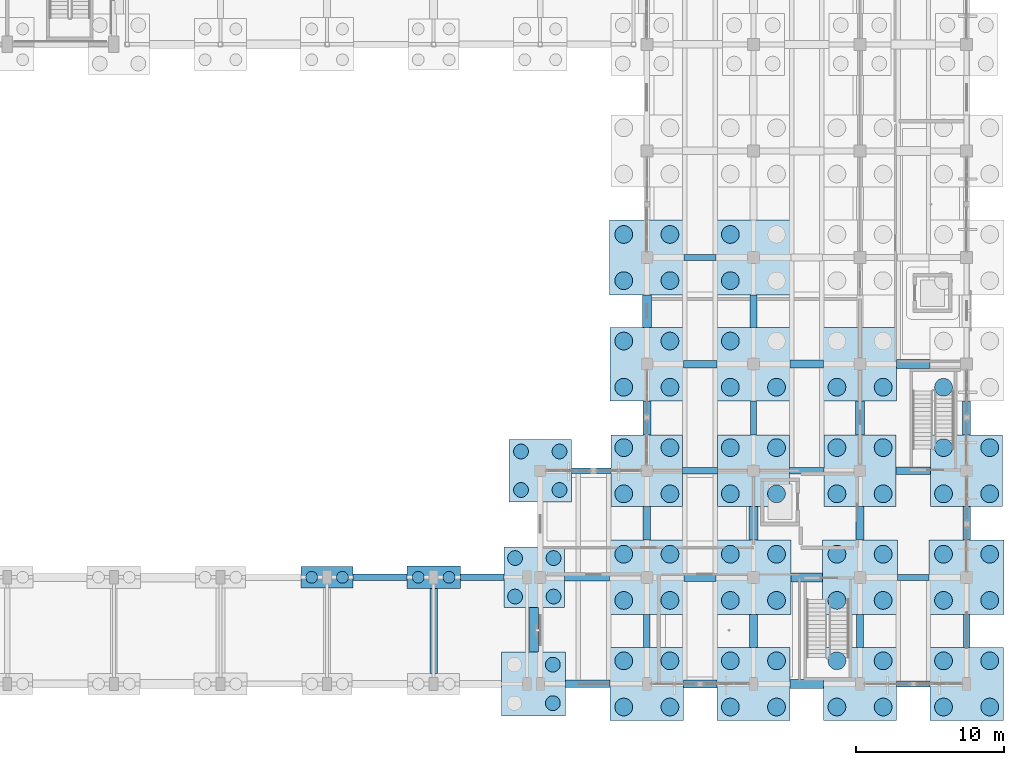
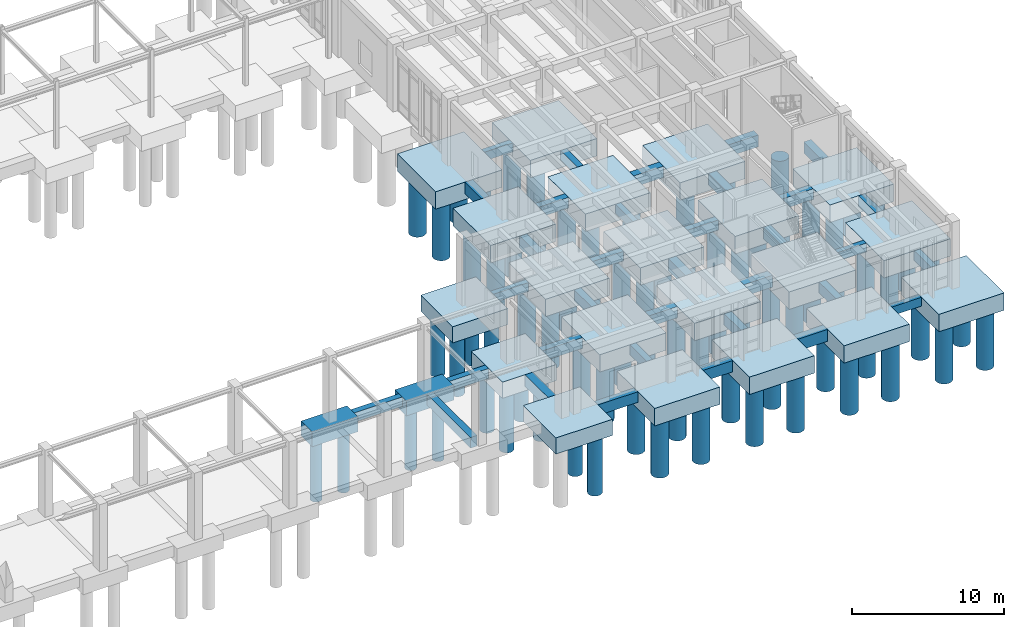
# One storey, part 8 of 93: 78 piles, 56 footings.
"""IFC4 building model written with IfcOpenShell, lengths in metres."""

from ifc_helpers import new_model, si_unit, direction, frame, origin, origin_2d, place, context, subcontext, project, spatial, rectangle, circle, extrude, material, material_profile, profile_set, type_object, element, save


model = new_model("IFC4")

# Units and contexts
model_context = context("Model", 3, precision=1e-05, world=origin(), true_north=direction((0.0, 1.0)))
body_context = subcontext(model_context, "Body", "Model", "MODEL_VIEW")
ifc_project = project(units=[si_unit("LENGTHUNIT", "METRE"), si_unit("AREAUNIT", "SQUARE_METRE"), si_unit("VOLUMEUNIT", "CUBIC_METRE"), si_unit("PLANEANGLEUNIT", "RADIAN"), si_unit("MASSUNIT", "GRAM", prefix="KILO")], contexts=[model_context])

# Site, building, storey
site_placement = place(None, origin())
site = spatial("IfcSite", under=ifc_project, at=site_placement, CompositionType="ELEMENT")
building_placement = place(site_placement, origin())
building = spatial("IfcBuilding", under=site, at=building_placement, Name="Koriwan Promenade Central Fire Station", CompositionType="ELEMENT")
storey_placement = place(building_placement, origin())
storey = spatial("IfcBuildingStorey", under=building, at=storey_placement, Name="L00", CompositionType="ELEMENT", Elevation=0.0)

# Piles
ifc_material = material(Name="Concrete C35/45", Category="concrete")
ifc_material_profile_1 = material_profile(ifc_material, circle(Radius=0.5, at=origin_2d()), Name="PILE-D1000")
ifc_profile_set_1 = profile_set([ifc_material_profile_1], Name="Concrete C35/45")
pile_type_1 = type_object("IfcPileType", Name="BoredPile_1000", PredefinedType="BORED", material=ifc_profile_set_1)
for number, where, z_axis, x_axis, name in (
    (1, (144.85009765625, -1.300048828125, -1.14990234375), (0.0, 0.0, -1.0), (1.0, 0.0, 0.0), "Bored pile PCAP_161-21"),
    (2, (144.85009765625, 1.300048828125, -1.14990234375), (0.0, 0.0, -1.0), (1.0, 0.0, 0.0), "Bored pile PCAP_161-22"),
    (3, (142.300048828125, 5.89990234375, -1.14990234375), (0.0, 0.0, -1.0), (1.0, 0.0, 0.0), "Bored pile PCAP_162-11"),
    (4, (142.300048828125, 8.5, -1.14990234375), (0.0, 0.0, -1.0), (1.0, 0.0, 0.0), "Bored pile PCAP_162-12"),
    (5, (144.89990234375, 5.89990234375, -1.14990234375), (0.0, 0.0, -1.0), (1.0, 0.0, 0.0), "Bored pile PCAP_162-21"),
    (6, (144.89990234375, 8.5, -1.14990234375), (0.0, 0.0, -1.0), (1.0, 0.0, 0.0), "Bored pile PCAP_162-22"),
    (7, (142.699951171875, 13.10009765625, -1.14990234375), (0.0, 0.0, -1.0), (1.0, 0.0, 0.0), "Bored pile PCAP_163-11"),
    (8, (142.699951171875, 15.699951171875, -1.14990234375), (0.0, 0.0, -1.0), (1.0, 0.0, 0.0), "Bored pile PCAP_163-12"),
    (9, (145.300048828125, 13.10009765625, -1.14990234375), (0.0, 0.0, -1.0), (1.0, 0.0, 0.0), "Bored pile PCAP_163-21"),
    (10, (145.300048828125, 15.699951171875, -1.14990234375), (0.0, 0.0, -1.0), (1.0, 0.0, 0.0), "Bored pile PCAP_163-22"),
):
    element("IfcPile", number, at=place(storey_placement, frame(where, z_axis=z_axis, x_axis=x_axis)), inside=storey, type_object=pile_type_1, Name=name, PredefinedType="BORED", context=body_context, shape_type="SweptSolid", body=[
        extrude(circle(Radius=0.5, at=origin_2d()), origin(), (0.0, 0.0, 1.0), 4.89990234375),
    ])
ifc_material_profile_2 = material_profile(ifc_material, circle(Radius=0.60009765625, at=origin_2d()), Name="PILE-D1200")
ifc_profile_set_2 = profile_set([ifc_material_profile_2], Name="Concrete C35/45")
pile_type_2 = type_object("IfcPileType", Name="BoredPile_1200", PredefinedType="BORED", material=ifc_profile_set_2)
for number, where, z_axis, x_axis, name in (
    (11, (149.639892578125, -1.56005859375, -1.25), (0.0, 0.0, -1.0), (1.0, 0.0, 0.0), "Bored pile PCAP_166-11"),
    (12, (149.639892578125, 1.56005859375, -1.25), (0.0, 0.0, -1.0), (1.0, 0.0, 0.0), "Bored pile PCAP_166-12"),
    (13, (152.760009765625, -1.56005859375, -1.25), (0.0, 0.0, -1.0), (1.0, 0.0, 0.0), "Bored pile PCAP_166-21"),
    (14, (152.760009765625, 1.56005859375, -1.25), (0.0, 0.0, -1.0), (1.0, 0.0, 0.0), "Bored pile PCAP_166-22"),
    (15, (149.639892578125, 5.639892578125, -1.25), (0.0, 0.0, -1.0), (1.0, 0.0, 0.0), "Bored pile PCAP_167-11"),
    (16, (149.639892578125, 8.760009765625, -1.25), (0.0, 0.0, -1.0), (1.0, 0.0, 0.0), "Bored pile PCAP_167-12"),
    (17, (152.760009765625, 5.639892578125, -1.25), (0.0, 0.0, -1.0), (1.0, 0.0, 0.0), "Bored pile PCAP_167-21"),
    (18, (152.760009765625, 8.760009765625, -1.25), (0.0, 0.0, -1.0), (1.0, 0.0, 0.0), "Bored pile PCAP_167-22"),
    (19, (149.639892578125, 12.840087890625, -1.25), (0.0, 0.0, -1.0), (1.0, 0.0, 0.0), "Bored pile PCAP_168-11"),
    (20, (149.639892578125, 15.9599609375, -1.25), (0.0, 0.0, -1.0), (1.0, 0.0, 0.0), "Bored pile PCAP_168-12"),
    (21, (152.760009765625, 12.840087890625, -1.25), (0.0, 0.0, -1.0), (1.0, 0.0, 0.0), "Bored pile PCAP_168-21"),
    (22, (152.760009765625, 15.9599609375, -1.25), (0.0, 0.0, -1.0), (1.0, 0.0, 0.0), "Bored pile PCAP_168-22"),
    (23, (149.639892578125, 20.0400390625, -1.25), (0.0, 0.0, -1.0), (1.0, 0.0, 0.0), "Bored pile PCAP_169-11"),
    (24, (149.639892578125, 23.159912109375, -1.25), (0.0, 0.0, -1.0), (1.0, 0.0, 0.0), "Bored pile PCAP_169-12"),
    (25, (152.760009765625, 20.0400390625, -1.25), (0.0, 0.0, -1.0), (1.0, 0.0, 0.0), "Bored pile PCAP_169-21"),
    (26, (152.760009765625, 23.159912109375, -1.25), (0.0, 0.0, -1.0), (1.0, 0.0, 0.0), "Bored pile PCAP_169-22"),
    (27, (149.639892578125, 27.239990234375, -1.25), (0.0, 0.0, -1.0), (1.0, 0.0, 0.0), "Bored pile PCAP_170-11"),
    (28, (149.639892578125, 30.360107421875, -1.25), (0.0, 0.0, -1.0), (1.0, 0.0, 0.0), "Bored pile PCAP_170-12"),
    (29, (152.760009765625, 27.239990234375, -1.25), (0.0, 0.0, -1.0), (1.0, 0.0, 0.0), "Bored pile PCAP_170-21"),
    (30, (152.760009765625, 30.360107421875, -1.25), (0.0, 0.0, -1.0), (1.0, 0.0, 0.0), "Bored pile PCAP_170-22"),
    (31, (156.840087890625, -1.56005859375, -1.25), (0.0, 0.0, -1.0), (1.0, 0.0, 0.0), "Bored pile PCAP_178-11"),
    (32, (156.840087890625, 1.56005859375, -1.25), (0.0, 0.0, -1.0), (1.0, 0.0, 0.0), "Bored pile PCAP_178-12"),
    (33, (159.9599609375, -1.56005859375, -1.25), (0.0, 0.0, -1.0), (1.0, 0.0, 0.0), "Bored pile PCAP_178-21"),
    (34, (159.9599609375, 1.56005859375, -1.25), (0.0, 0.0, -1.0), (1.0, 0.0, 0.0), "Bored pile PCAP_178-22"),
    (35, (156.840087890625, 5.639892578125, -1.25), (0.0, 0.0, -1.0), (1.0, 0.0, 0.0), "Bored pile PCAP_179-11"),
    (36, (156.840087890625, 8.760009765625, -1.25), (0.0, 0.0, -1.0), (1.0, 0.0, 0.0), "Bored pile PCAP_179-12"),
    (37, (159.9599609375, 5.639892578125, -1.25), (0.0, 0.0, -1.0), (1.0, 0.0, 0.0), "Bored pile PCAP_179-21"),
    (38, (159.9599609375, 8.760009765625, -1.25), (0.0, 0.0, -1.0), (1.0, 0.0, 0.0), "Bored pile PCAP_179-22"),
    (39, (156.840087890625, 12.840087890625, -1.25), (0.0, 0.0, -1.0), (1.0, 0.0, 0.0), "Bored pile PCAP_180-11"),
    (40, (156.840087890625, 15.9599609375, -1.25), (0.0, 0.0, -1.0), (1.0, 0.0, 0.0), "Bored pile PCAP_180-12"),
    (41, (159.9599609375, 12.840087890625, -1.25), (0.0, 0.0, -1.0), (1.0, 0.0, 0.0), "Bored pile PCAP_180-21"),
    (42, (159.9599609375, 15.9599609375, -1.25), (0.0, 0.0, -1.0), (1.0, 0.0, 0.0), "Bored pile PCAP_180-22"),
    (43, (156.840087890625, 20.0400390625, -1.25), (0.0, 0.0, -1.0), (1.0, 0.0, 0.0), "Bored pile PCAP_181-11"),
    (44, (156.840087890625, 23.159912109375, -1.25), (0.0, 0.0, -1.0), (1.0, 0.0, 0.0), "Bored pile PCAP_181-12"),
    (45, (159.9599609375, 20.0400390625, -1.25), (0.0, 0.0, -1.0), (1.0, 0.0, 0.0), "Bored pile PCAP_181-21"),
    (46, (156.840087890625, 27.239990234375, -1.25), (0.0, 0.0, -1.0), (1.0, 0.0, 0.0), "Bored pile PCAP_182-11"),
    (47, (156.840087890625, 30.360107421875, -1.25), (0.0, 0.0, -1.0), (1.0, 0.0, 0.0), "Bored pile PCAP_182-12"),
    (48, (164.0400390625, -1.56005859375, -1.25), (0.0, 0.0, -1.0), (1.0, 0.0, 0.0), "Bored pile PCAP_190-11"),
    (49, (164.0400390625, 1.56005859375, -1.25), (0.0, 0.0, -1.0), (1.0, 0.0, 0.0), "Bored pile PCAP_190-12"),
    (50, (167.159912109375, -1.56005859375, -1.25), (0.0, 0.0, -1.0), (1.0, 0.0, 0.0), "Bored pile PCAP_190-21"),
    (51, (167.159912109375, 1.56005859375, -1.25), (0.0, 0.0, -1.0), (1.0, 0.0, 0.0), "Bored pile PCAP_190-22"),
    (52, (164.0400390625, 5.639892578125, -1.25), (0.0, 0.0, -1.0), (1.0, 0.0, 0.0), "Bored pile PCAP_191-11"),
    (53, (164.0400390625, 8.760009765625, -1.25), (0.0, 0.0, -1.0), (1.0, 0.0, 0.0), "Bored pile PCAP_191-12"),
    (54, (167.159912109375, 5.639892578125, -1.25), (0.0, 0.0, -1.0), (1.0, 0.0, 0.0), "Bored pile PCAP_191-21"),
    (55, (167.159912109375, 8.760009765625, -1.25), (0.0, 0.0, -1.0), (1.0, 0.0, 0.0), "Bored pile PCAP_191-22"),
    (56, (164.0400390625, 12.840087890625, -1.25), (0.0, 0.0, -1.0), (1.0, 0.0, 0.0), "Bored pile PCAP_192-11"),
    (57, (164.0400390625, 15.9599609375, -1.25), (0.0, 0.0, -1.0), (1.0, 0.0, 0.0), "Bored pile PCAP_192-12"),
    (58, (167.159912109375, 12.840087890625, -1.25), (0.0, 0.0, -1.0), (1.0, 0.0, 0.0), "Bored pile PCAP_192-21"),
    (59, (167.159912109375, 15.9599609375, -1.25), (0.0, 0.0, -1.0), (1.0, 0.0, 0.0), "Bored pile PCAP_192-22"),
    (60, (164.0400390625, 20.0400390625, -1.25), (0.0, 0.0, -1.0), (1.0, 0.0, 0.0), "Bored pile PCAP_193-11"),
    (61, (167.159912109375, 20.0400390625, -1.25), (0.0, 0.0, -1.0), (1.0, 0.0, 0.0), "Bored pile PCAP_193-21"),
    (62, (171.239990234375, -1.56005859375, -1.25), (0.0, 0.0, -1.0), (1.0, 0.0, 0.0), "Bored pile PCAP_202-11"),
    (63, (171.239990234375, 1.56005859375, -1.25), (0.0, 0.0, -1.0), (1.0, 0.0, 0.0), "Bored pile PCAP_202-12"),
    (64, (174.360107421875, -1.56005859375, -1.25), (0.0, 0.0, -1.0), (1.0, 0.0, 0.0), "Bored pile PCAP_202-21"),
    (65, (174.360107421875, 1.56005859375, -1.25), (0.0, 0.0, -1.0), (1.0, 0.0, 0.0), "Bored pile PCAP_202-22"),
    (66, (171.239990234375, 5.639892578125, -1.25), (0.0, 0.0, -1.0), (1.0, 0.0, 0.0), "Bored pile PCAP_203-11"),
    (67, (171.239990234375, 8.760009765625, -1.25), (0.0, 0.0, -1.0), (1.0, 0.0, 0.0), "Bored pile PCAP_203-12"),
    (68, (174.360107421875, 5.639892578125, -1.25), (0.0, 0.0, -1.0), (1.0, 0.0, 0.0), "Bored pile PCAP_203-21"),
    (69, (174.360107421875, 8.760009765625, -1.25), (0.0, 0.0, -1.0), (1.0, 0.0, 0.0), "Bored pile PCAP_203-22"),
    (70, (171.239990234375, 12.840087890625, -1.25), (0.0, 0.0, -1.0), (1.0, 0.0, 0.0), "Bored pile PCAP_204-11"),
    (71, (171.239990234375, 15.9599609375, -1.25), (0.0, 0.0, -1.0), (1.0, 0.0, 0.0), "Bored pile PCAP_204-12"),
    (72, (174.360107421875, 12.840087890625, -1.25), (0.0, 0.0, -1.0), (1.0, 0.0, 0.0), "Bored pile PCAP_204-21"),
    (73, (174.360107421875, 15.9599609375, -1.25), (0.0, 0.0, -1.0), (1.0, 0.0, 0.0), "Bored pile PCAP_204-22"),
    (74, (171.239990234375, 20.0400390625, -1.25), (0.0, 0.0, -1.0), (1.0, 0.0, 0.0), "Bored pile PCAP_205-11"),
):
    element("IfcPile", number, at=place(storey_placement, frame(where, z_axis=z_axis, x_axis=x_axis)), inside=storey, type_object=pile_type_2, Name=name, PredefinedType="BORED", context=body_context, shape_type="SweptSolid", body=[
        extrude(circle(Radius=0.60009765625, at=origin_2d()), origin(), (0.0, 0.0, 1.0), 4.800048828125),
    ])
ifc_material_profile_3 = material_profile(ifc_material, circle(Radius=0.39990234375, at=origin_2d()), Name="PILE-D800")
ifc_profile_set_3 = profile_set([ifc_material_profile_3], Name="Concrete C35/45")
pile_type_3 = type_object("IfcPileType", Name="BoredPile_800", PredefinedType="BORED", material=ifc_profile_set_3)
for number, where, z_axis, x_axis, name in (
    (75, (128.56005859375, 7.199951171875, -1.050048828125), (0.0, 0.0, -1.0), (1.0, 0.0, 0.0), "Bored pile PCAP_154-11"),
    (76, (130.639892578125, 7.199951171875, -1.050048828125), (0.0, 0.0, -1.0), (1.0, 0.0, 0.0), "Bored pile PCAP_154-21"),
    (77, (135.760009765625, 7.199951171875, -1.050048828125), (0.0, 0.0, -1.0), (1.0, 0.0, 0.0), "Bored pile PCAP_158-11"),
    (78, (137.840087890625, 7.199951171875, -1.050048828125), (0.0, 0.0, -1.0), (1.0, 0.0, 0.0), "Bored pile PCAP_158-21"),
):
    element("IfcPile", number, at=place(storey_placement, frame(where, z_axis=z_axis, x_axis=x_axis)), inside=storey, type_object=pile_type_3, Name=name, PredefinedType="BORED", context=body_context, shape_type="SweptSolid", body=[
        extrude(circle(Radius=0.39990234375, at=origin_2d()), origin(), (0.0, 0.0, 1.0), 5.0),
    ])

# Footings
footing_type_1 = type_object("IfcFootingType", Name="GroundTieBeam_400x700", PredefinedType="FOOTING_BEAM", material=ifc_material)
footing_1_placement = place(storey_placement, frame((169.199951171875, 0.0, -0.7001953125), z_axis=(0.0, 0.0, 1.0), x_axis=(1.0, 0.0, 0.0)))
element("IfcFooting", 79, at=footing_1_placement, inside=storey, type_object=footing_type_1, Name="Seismic tie beam X-024", PredefinedType="FOOTING_BEAM", context=body_context, shape_type="SweptSolid", body=[
    extrude(rectangle(XDim=2.25, YDim=0.39990234375, at=origin_2d()), origin(), (0.0, 0.0, 1.0), 0.699951171875),
])
footing_2_placement = place(storey_placement, frame((169.199951171875, 7.199951171875, -0.7001953125), z_axis=(0.0, 0.0, 1.0), x_axis=(1.0, 0.0, 0.0)))
element("IfcFooting", 80, at=footing_2_placement, inside=storey, type_object=footing_type_1, Name="Seismic tie beam X-048", PredefinedType="FOOTING_BEAM", context=body_context, shape_type="SweptSolid", body=[
    extrude(rectangle(XDim=2.14990234375, YDim=0.39990234375, at=origin_2d()), origin(), (0.0, 0.0, 1.0), 0.699951171875),
])
footing_3_placement = place(storey_placement, frame((147.4375, 14.39990234375, -0.7001953125), z_axis=(0.0, 0.0, 1.0), x_axis=(1.0, 0.0, 0.0)))
element("IfcFooting", 81, at=footing_3_placement, inside=storey, type_object=footing_type_1, Name="Seismic tie beam X-054", PredefinedType="FOOTING_BEAM", context=body_context, shape_type="SweptSolid", body=[
    extrude(rectangle(XDim=2.675048828125, YDim=0.39990234375, at=origin_2d()), origin(), (0.0, 0.0, 1.0), 0.699951171875),
])
footing_4_placement = place(storey_placement, frame((154.800048828125, 28.800048828125, -0.7001953125), z_axis=(0.0, 0.0, 1.0), x_axis=(1.0, 0.0, 0.0)))
element("IfcFooting", 82, at=footing_4_placement, inside=storey, type_object=footing_type_1, Name="Seismic tie beam X-066", PredefinedType="FOOTING_BEAM", context=body_context, shape_type="SweptSolid", body=[
    extrude(rectangle(XDim=2.14990234375, YDim=0.39990234375, at=origin_2d()), origin(), (0.0, 0.0, 1.0), 0.699951171875),
])
footing_5_placement = place(storey_placement, frame((158.39990234375, 17.97509765625, -0.7001953125), z_axis=(0.0, 0.0, 1.0), x_axis=(0.0, 1.0, 0.0)))
element("IfcFooting", 83, at=footing_5_placement, inside=storey, type_object=footing_type_1, Name="Seismic tie beam Y-294", PredefinedType="FOOTING_BEAM", context=body_context, shape_type="SweptSolid", body=[
    extrude(rectangle(XDim=2.300048828125, YDim=0.39990234375, at=origin_2d()), origin(), (0.0, 0.0, 1.0), 0.699951171875),
])
footing_type_2 = type_object("IfcFootingType", Name="GroundTieBeam_450x750", PredefinedType="FOOTING_BEAM", material=ifc_material)
footing_6_placement = place(storey_placement, frame((133.175048828125, 7.199951171875, -0.75), z_axis=(0.0, 0.0, 1.0), x_axis=(1.0, 0.0, 0.0)))
element("IfcFooting", 84, at=footing_6_placement, inside=storey, type_object=footing_type_2, Name="Seismic tie beam X-043", PredefinedType="FOOTING_BEAM", context=body_context, shape_type="SweptSolid", body=[
    extrude(rectangle(XDim=3.64990234375, YDim=0.449951171875, at=origin_2d()), origin(), (0.0, 0.0, 1.0), 0.75),
])
footing_7_placement = place(storey_placement, frame((154.800048828125, 14.39990234375, -0.75), z_axis=(0.0, 0.0, 1.0), x_axis=(1.0, 0.0, 0.0)))
element("IfcFooting", 85, at=footing_7_placement, inside=storey, type_object=footing_type_2, Name="Seismic tie beam X-055", PredefinedType="FOOTING_BEAM", context=body_context, shape_type="SweptSolid", body=[
    extrude(rectangle(XDim=2.35009765625, YDim=0.449951171875, at=origin_2d()), origin(), (0.0, 0.0, 1.0), 0.75),
])
footing_8_placement = place(storey_placement, frame((158.39990234375, 25.175048828125, -0.75), z_axis=(0.0, 0.0, 1.0), x_axis=(0.0, 1.0, 0.0)))
element("IfcFooting", 86, at=footing_8_placement, inside=storey, type_object=footing_type_2, Name="Seismic tie beam Y-295", PredefinedType="FOOTING_BEAM", context=body_context, shape_type="SweptSolid", body=[
    extrude(rectangle(XDim=2.199951171875, YDim=0.449951171875, at=origin_2d()), origin(), (0.0, 0.0, 1.0), 0.75),
])
footing_type_3 = type_object("IfcFootingType", Name="GroundTieBeam_450x800", PredefinedType="FOOTING_BEAM", material=ifc_material)
footing_9_placement = place(storey_placement, frame((140.074951171875, 7.199951171875, -0.7998046875), z_axis=(0.0, 0.0, 1.0), x_axis=(1.0, 0.0, 0.0)))
element("IfcFooting", 87, at=footing_9_placement, inside=storey, type_object=footing_type_3, Name="Seismic tie beam X-044", PredefinedType="FOOTING_BEAM", context=body_context, shape_type="SweptSolid", body=[
    extrude(rectangle(XDim=2.949951171875, YDim=0.449951171875, at=origin_2d()), origin(), (0.0, 0.0, 1.0), 0.800048828125),
])
footing_10_placement = place(storey_placement, frame((162.0, 14.39990234375, -0.7998046875), z_axis=(0.0, 0.0, 1.0), x_axis=(1.0, 0.0, 0.0)))
element("IfcFooting", 88, at=footing_10_placement, inside=storey, type_object=footing_type_3, Name="Seismic tie beam X-056", PredefinedType="FOOTING_BEAM", context=body_context, shape_type="SweptSolid", body=[
    extrude(rectangle(XDim=2.35009765625, YDim=0.449951171875, at=origin_2d()), origin(), (0.0, 0.0, 1.0), 0.800048828125),
])
for number, where, z_axis, x_axis, name in (
    (89, (151.199951171875, 3.574951171875, -0.7998046875), (0.0, 0.0, 1.0), (0.0, 1.0, 0.0), "Seismic tie beam Y-284"),
    (90, (172.800048828125, 3.574951171875, -0.7998046875), (0.0, 0.0, 1.0), (0.0, 1.0, 0.0), "Seismic tie beam Y-314"),
):
    element("IfcFooting", number, at=place(storey_placement, frame(where, z_axis=z_axis, x_axis=x_axis)), inside=storey, type_object=footing_type_3, Name=name, PredefinedType="FOOTING_BEAM", context=body_context, shape_type="SweptSolid", body=[
        extrude(rectangle(XDim=2.199951171875, YDim=0.449951171875, at=origin_2d()), origin(), (0.0, 0.0, 1.0), 0.800048828125),
    ])
footing_type_4 = type_object("IfcFootingType", Name="GroundTieBeam_500x850", PredefinedType="FOOTING_BEAM", material=ifc_material)
for number, where, z_axis, x_axis, name in (
    (91, (147.21240234375, 0.0, -0.85009765625), (0.0, 0.0, 1.0), (1.0, 0.0, 0.0), "Seismic tie beam X-021"),
    (92, (147.16259765625, 7.199951171875, -0.85009765625), (0.0, 0.0, 1.0), (1.0, 0.0, 0.0), "Seismic tie beam X-045"),
):
    element("IfcFooting", number, at=place(storey_placement, frame(where, z_axis=z_axis, x_axis=x_axis)), inside=storey, type_object=footing_type_4, Name=name, PredefinedType="FOOTING_BEAM", context=body_context, shape_type="SweptSolid", body=[
        extrude(rectangle(XDim=3.02490234375, YDim=0.5, at=origin_2d()), origin(), (0.0, 0.0, 1.0), 0.85009765625),
    ])
footing_11_placement = place(storey_placement, frame((169.199951171875, 14.39990234375, -0.85009765625), z_axis=(0.0, 0.0, 1.0), x_axis=(1.0, 0.0, 0.0)))
element("IfcFooting", 93, at=footing_11_placement, inside=storey, type_object=footing_type_4, Name="Seismic tie beam X-057", PredefinedType="FOOTING_BEAM", context=body_context, shape_type="SweptSolid", body=[
    extrude(rectangle(XDim=2.35009765625, YDim=0.5, at=origin_2d()), origin(), (0.0, 0.0, 1.0), 0.85009765625),
])
footing_12_placement = place(storey_placement, frame((154.800048828125, 21.60009765625, -0.85009765625), z_axis=(0.0, 0.0, 1.0), x_axis=(1.0, 0.0, 0.0)))
element("IfcFooting", 94, at=footing_12_placement, inside=storey, type_object=footing_type_4, Name="Seismic tie beam X-063", PredefinedType="FOOTING_BEAM", context=body_context, shape_type="SweptSolid", body=[
    extrude(rectangle(XDim=2.25, YDim=0.5, at=origin_2d()), origin(), (0.0, 0.0, 1.0), 0.85009765625),
])
footing_13_placement = place(storey_placement, frame((136.800048828125, 3.574951171875, -0.85009765625), z_axis=(0.0, 0.0, 1.0), x_axis=(0.0, 1.0, 0.0)))
element("IfcFooting", 95, at=footing_13_placement, inside=storey, type_object=footing_type_4, Name="Seismic tie beam Y-279", PredefinedType="FOOTING_BEAM", context=body_context, shape_type="SweptSolid", body=[
    extrude(rectangle(XDim=5.75, YDim=0.5, at=origin_2d()), origin(), (0.0, 0.0, 1.0), 0.85009765625),
])
footing_14_placement = place(storey_placement, frame((151.199951171875, 10.85009765625, -0.85009765625), z_axis=(0.0, 0.0, 1.0), x_axis=(0.0, 1.0, 0.0)))
element("IfcFooting", 96, at=footing_14_placement, inside=storey, type_object=footing_type_4, Name="Seismic tie beam Y-285", PredefinedType="FOOTING_BEAM", context=body_context, shape_type="SweptSolid", body=[
    extrude(rectangle(XDim=2.25, YDim=0.5, at=origin_2d()), origin(), (0.0, 0.0, 1.0), 0.85009765625),
])
footing_15_placement = place(storey_placement, frame((165.60009765625, 3.574951171875, -0.85009765625), z_axis=(0.0, 0.0, 1.0), x_axis=(0.0, 1.0, 0.0)))
element("IfcFooting", 97, at=footing_15_placement, inside=storey, type_object=footing_type_4, Name="Seismic tie beam Y-303", PredefinedType="FOOTING_BEAM", context=body_context, shape_type="SweptSolid", body=[
    extrude(rectangle(XDim=2.199951171875, YDim=0.5, at=origin_2d()), origin(), (0.0, 0.0, 1.0), 0.85009765625),
])
footing_16_placement = place(storey_placement, frame((172.800048828125, 10.85009765625, -0.85009765625), z_axis=(0.0, 0.0, 1.0), x_axis=(0.0, 1.0, 0.0)))
element("IfcFooting", 98, at=footing_16_placement, inside=storey, type_object=footing_type_4, Name="Seismic tie beam Y-315", PredefinedType="FOOTING_BEAM", context=body_context, shape_type="SweptSolid", body=[
    extrude(rectangle(XDim=2.25, YDim=0.5, at=origin_2d()), origin(), (0.0, 0.0, 1.0), 0.85009765625),
])
footing_type_5 = type_object("IfcFootingType", Name="GroundTieBeam_550x900", PredefinedType="FOOTING_BEAM", material=ifc_material)
footing_17_placement = place(storey_placement, frame((154.800048828125, 0.0, -0.89990234375), z_axis=(0.0, 0.0, 1.0), x_axis=(1.0, 0.0, 0.0)))
element("IfcFooting", 99, at=footing_17_placement, inside=storey, type_object=footing_type_5, Name="Seismic tie beam X-022", PredefinedType="FOOTING_BEAM", context=body_context, shape_type="SweptSolid", body=[
    extrude(rectangle(XDim=2.25, YDim=0.550048828125, at=origin_2d()), origin(), (0.0, 0.0, 1.0), 0.89990234375),
])
footing_18_placement = place(storey_placement, frame((154.800048828125, 7.199951171875, -0.89990234375), z_axis=(0.0, 0.0, 1.0), x_axis=(1.0, 0.0, 0.0)))
element("IfcFooting", 100, at=footing_18_placement, inside=storey, type_object=footing_type_5, Name="Seismic tie beam X-046", PredefinedType="FOOTING_BEAM", context=body_context, shape_type="SweptSolid", body=[
    extrude(rectangle(XDim=2.14990234375, YDim=0.550048828125, at=origin_2d()), origin(), (0.0, 0.0, 1.0), 0.89990234375),
])
footing_19_placement = place(storey_placement, frame((162.0, 21.60009765625, -0.89990234375), z_axis=(0.0, 0.0, 1.0), x_axis=(1.0, 0.0, 0.0)))
element("IfcFooting", 101, at=footing_19_placement, inside=storey, type_object=footing_type_5, Name="Seismic tie beam X-064", PredefinedType="FOOTING_BEAM", context=body_context, shape_type="SweptSolid", body=[
    extrude(rectangle(XDim=2.25, YDim=0.550048828125, at=origin_2d()), origin(), (0.0, 0.0, 1.0), 0.89990234375),
])
footing_20_placement = place(storey_placement, frame((151.199951171875, 17.97509765625, -0.89990234375), z_axis=(0.0, 0.0, 1.0), x_axis=(0.0, 1.0, 0.0)))
element("IfcFooting", 102, at=footing_20_placement, inside=storey, type_object=footing_type_5, Name="Seismic tie beam Y-286", PredefinedType="FOOTING_BEAM", context=body_context, shape_type="SweptSolid", body=[
    extrude(rectangle(XDim=2.300048828125, YDim=0.550048828125, at=origin_2d()), origin(), (0.0, 0.0, 1.0), 0.89990234375),
])
footing_21_placement = place(storey_placement, frame((158.39990234375, 3.574951171875, -0.89990234375), z_axis=(0.0, 0.0, 1.0), x_axis=(0.0, 1.0, 0.0)))
element("IfcFooting", 103, at=footing_21_placement, inside=storey, type_object=footing_type_5, Name="Seismic tie beam Y-292", PredefinedType="FOOTING_BEAM", context=body_context, shape_type="SweptSolid", body=[
    extrude(rectangle(XDim=2.199951171875, YDim=0.550048828125, at=origin_2d()), origin(), (0.0, 0.0, 1.0), 0.89990234375),
])
footing_22_placement = place(storey_placement, frame((165.60009765625, 10.85009765625, -0.89990234375), z_axis=(0.0, 0.0, 1.0), x_axis=(0.0, 1.0, 0.0)))
element("IfcFooting", 104, at=footing_22_placement, inside=storey, type_object=footing_type_5, Name="Seismic tie beam Y-304", PredefinedType="FOOTING_BEAM", context=body_context, shape_type="SweptSolid", body=[
    extrude(rectangle(XDim=2.25, YDim=0.550048828125, at=origin_2d()), origin(), (0.0, 0.0, 1.0), 0.89990234375),
])
footing_23_placement = place(storey_placement, frame((172.800048828125, 17.97509765625, -0.89990234375), z_axis=(0.0, 0.0, 1.0), x_axis=(0.0, 1.0, 0.0)))
element("IfcFooting", 105, at=footing_23_placement, inside=storey, type_object=footing_type_5, Name="Seismic tie beam Y-316", PredefinedType="FOOTING_BEAM", context=body_context, shape_type="SweptSolid", body=[
    extrude(rectangle(XDim=2.300048828125, YDim=0.550048828125, at=origin_2d()), origin(), (0.0, 0.0, 1.0), 0.89990234375),
])
footing_type_6 = type_object("IfcFootingType", Name="GroundTieBeam_600x950", PredefinedType="FOOTING_BEAM", material=ifc_material)
footing_24_placement = place(storey_placement, frame((162.0, 0.0, -0.9501953125), z_axis=(0.0, 0.0, 1.0), x_axis=(1.0, 0.0, 0.0)))
element("IfcFooting", 106, at=footing_24_placement, inside=storey, type_object=footing_type_6, Name="Seismic tie beam X-023", PredefinedType="FOOTING_BEAM", context=body_context, shape_type="SweptSolid", body=[
    extrude(rectangle(XDim=2.25, YDim=0.60009765625, at=origin_2d()), origin(), (0.0, 0.0, 1.0), 0.949951171875),
])
footing_25_placement = place(storey_placement, frame((162.0, 7.199951171875, -0.9501953125), z_axis=(0.0, 0.0, 1.0), x_axis=(1.0, 0.0, 0.0)))
element("IfcFooting", 107, at=footing_25_placement, inside=storey, type_object=footing_type_6, Name="Seismic tie beam X-047", PredefinedType="FOOTING_BEAM", context=body_context, shape_type="SweptSolid", body=[
    extrude(rectangle(XDim=2.14990234375, YDim=0.60009765625, at=origin_2d()), origin(), (0.0, 0.0, 1.0), 0.949951171875),
])
footing_26_placement = place(storey_placement, frame((169.199951171875, 21.60009765625, -0.9501953125), z_axis=(0.0, 0.0, 1.0), x_axis=(1.0, 0.0, 0.0)))
element("IfcFooting", 108, at=footing_26_placement, inside=storey, type_object=footing_type_6, Name="Seismic tie beam X-065", PredefinedType="FOOTING_BEAM", context=body_context, shape_type="SweptSolid", body=[
    extrude(rectangle(XDim=2.25, YDim=0.60009765625, at=origin_2d()), origin(), (0.0, 0.0, 1.0), 0.949951171875),
])
footing_27_placement = place(storey_placement, frame((143.574951171875, 3.64990234375, -0.9501953125), z_axis=(0.0, 0.0, 1.0), x_axis=(0.0, 1.0, 0.0)))
element("IfcFooting", 109, at=footing_27_placement, inside=storey, type_object=footing_type_6, Name="Seismic tie beam Y-281", PredefinedType="FOOTING_BEAM", context=body_context, shape_type="SweptSolid", body=[
    extrude(rectangle(XDim=3.0, YDim=0.60009765625, at=origin_2d()), origin(), (0.0, 0.0, 1.0), 0.949951171875),
])
footing_28_placement = place(storey_placement, frame((151.199951171875, 25.175048828125, -0.9501953125), z_axis=(0.0, 0.0, 1.0), x_axis=(0.0, 1.0, 0.0)))
element("IfcFooting", 110, at=footing_28_placement, inside=storey, type_object=footing_type_6, Name="Seismic tie beam Y-287", PredefinedType="FOOTING_BEAM", context=body_context, shape_type="SweptSolid", body=[
    extrude(rectangle(XDim=2.199951171875, YDim=0.60009765625, at=origin_2d()), origin(), (0.0, 0.0, 1.0), 0.949951171875),
])
footing_29_placement = place(storey_placement, frame((158.39990234375, 10.85009765625, -0.9501953125), z_axis=(0.0, 0.0, 1.0), x_axis=(0.0, 1.0, 0.0)))
element("IfcFooting", 111, at=footing_29_placement, inside=storey, type_object=footing_type_6, Name="Seismic tie beam Y-293", PredefinedType="FOOTING_BEAM", context=body_context, shape_type="SweptSolid", body=[
    extrude(rectangle(XDim=2.25, YDim=0.60009765625, at=origin_2d()), origin(), (0.0, 0.0, 1.0), 0.949951171875),
])
footing_30_placement = place(storey_placement, frame((165.60009765625, 17.97509765625, -0.9501953125), z_axis=(0.0, 0.0, 1.0), x_axis=(0.0, 1.0, 0.0)))
element("IfcFooting", 112, at=footing_30_placement, inside=storey, type_object=footing_type_6, Name="Seismic tie beam Y-305", PredefinedType="FOOTING_BEAM", context=body_context, shape_type="SweptSolid", body=[
    extrude(rectangle(XDim=2.300048828125, YDim=0.60009765625, at=origin_2d()), origin(), (0.0, 0.0, 1.0), 0.949951171875),
])
footing_type_7 = type_object("IfcFootingType", Name="PileCap_3500x1450x1200", PredefinedType="PILE_CAP", material=ifc_material)
footing_31_placement = place(storey_placement, frame((129.60009765625, 7.199951171875, -1.2001953125), z_axis=(0.0, 0.0, 1.0), x_axis=(1.0, 0.0, 0.0)))
element("IfcFooting", 113, at=footing_31_placement, inside=storey, type_object=footing_type_7, Name="Pile cap PCAP_154 (3500x1450x1200)", PredefinedType="PILE_CAP", context=body_context, shape_type="SweptSolid", body=[
    extrude(rectangle(XDim=3.5, YDim=1.449951171875, at=origin_2d()), origin(), (0.0, 0.0, 1.0), 1.199951171875),
])
footing_type_8 = type_object("IfcFootingType", Name="PileCap_3600x1500x1200", PredefinedType="PILE_CAP", material=ifc_material)
footing_32_placement = place(storey_placement, frame((136.800048828125, 7.199951171875, -1.2001953125), z_axis=(0.0, 0.0, 1.0), x_axis=(1.0, 0.0, 0.0)))
element("IfcFooting", 114, at=footing_32_placement, inside=storey, type_object=footing_type_8, Name="Pile cap PCAP_158 (3600x1500x1200)", PredefinedType="PILE_CAP", context=body_context, shape_type="SweptSolid", body=[
    extrude(rectangle(XDim=3.60009765625, YDim=1.5, at=origin_2d()), origin(), (0.0, 0.0, 1.0), 1.199951171875),
])
footing_type_9 = type_object("IfcFootingType", Name="PileCap_4100x4100x1300", PredefinedType="PILE_CAP", material=ifc_material)
footing_33_placement = place(storey_placement, frame((143.60009765625, 7.199951171875, -1.2998046875), z_axis=(0.0, 0.0, 1.0), x_axis=(1.0, 0.0, 0.0)))
element("IfcFooting", 115, at=footing_33_placement, inside=storey, type_object=footing_type_9, Name="Pile cap PCAP_162 (4100x4100x1300)", PredefinedType="PILE_CAP", context=body_context, shape_type="SweptSolid", body=[
    extrude(rectangle(XDim=4.10009765625, YDim=4.10009765625, at=origin_2d()), origin(), (0.0, 0.0, 1.0), 1.300048828125),
])
footing_type_10 = type_object("IfcFootingType", Name="PileCap_4200x4200x1300", PredefinedType="PILE_CAP", material=ifc_material)
footing_34_placement = place(storey_placement, frame((144.0, 14.39990234375, -1.2998046875), z_axis=(0.0, 0.0, 1.0), x_axis=(1.0, 0.0, 0.0)))
element("IfcFooting", 116, at=footing_34_placement, inside=storey, type_object=footing_type_10, Name="Pile cap PCAP_163 (4200x4200x1300)", PredefinedType="PILE_CAP", context=body_context, shape_type="SweptSolid", body=[
    extrude(rectangle(XDim=4.199951171875, YDim=4.199951171875, at=origin_2d()), origin(), (0.0, 0.0, 1.0), 1.300048828125),
])
footing_type_11 = type_object("IfcFootingType", Name="PileCap_4300x4300x1300", PredefinedType="PILE_CAP", material=ifc_material)
footing_35_placement = place(storey_placement, frame((143.550048828125, 0.0, -1.2998046875), z_axis=(0.0, 0.0, 1.0), x_axis=(1.0, 0.0, 0.0)))
element("IfcFooting", 117, at=footing_35_placement, inside=storey, type_object=footing_type_11, Name="Pile cap PCAP_161 (4300x4300x1300)", PredefinedType="PILE_CAP", context=body_context, shape_type="SweptSolid", body=[
    extrude(rectangle(XDim=4.300048828125, YDim=4.300048828125, at=origin_2d()), origin(), (0.0, 0.0, 1.0), 1.300048828125),
])
footing_type_12 = type_object("IfcFootingType", Name="PileCap_4850x4850x1400", PredefinedType="PILE_CAP", material=ifc_material)
for number, where, z_axis, x_axis, name in (
    (118, (151.199951171875, 14.39990234375, -1.39990234375), (0.0, 0.0, 1.0), (1.0, 0.0, 0.0), "Pile cap PCAP_168 (4850x4850x1400)"),
    (119, (158.39990234375, 14.39990234375, -1.39990234375), (0.0, 0.0, 1.0), (1.0, 0.0, 0.0), "Pile cap PCAP_180 (4850x4850x1400)"),
    (120, (165.60009765625, 14.39990234375, -1.39990234375), (0.0, 0.0, 1.0), (1.0, 0.0, 0.0), "Pile cap PCAP_192 (4850x4850x1400)"),
    (121, (172.800048828125, 14.39990234375, -1.39990234375), (0.0, 0.0, 1.0), (1.0, 0.0, 0.0), "Pile cap PCAP_204 (4850x4850x1400)"),
):
    element("IfcFooting", number, at=place(storey_placement, frame(where, z_axis=z_axis, x_axis=x_axis)), inside=storey, type_object=footing_type_12, Name=name, PredefinedType="PILE_CAP", context=body_context, shape_type="SweptSolid", body=[
        extrude(rectangle(XDim=4.85009765625, YDim=4.85009765625, at=origin_2d()), origin(), (0.0, 0.0, 1.0), 1.39990234375),
    ])
footing_type_13 = type_object("IfcFootingType", Name="PileCap_4950x4950x1400", PredefinedType="PILE_CAP", material=ifc_material)
for number, where, z_axis, x_axis, name in (
    (122, (151.199951171875, 0.0, -1.39990234375), (0.0, 0.0, 1.0), (1.0, 0.0, 0.0), "Pile cap PCAP_166 (4950x4950x1400)"),
    (123, (151.199951171875, 21.60009765625, -1.39990234375), (0.0, 0.0, 1.0), (1.0, 0.0, 0.0), "Pile cap PCAP_169 (4950x4950x1400)"),
    (124, (158.39990234375, 0.0, -1.39990234375), (0.0, 0.0, 1.0), (1.0, 0.0, 0.0), "Pile cap PCAP_178 (4950x4950x1400)"),
    (125, (158.39990234375, 21.60009765625, -1.39990234375), (0.0, 0.0, 1.0), (1.0, 0.0, 0.0), "Pile cap PCAP_181 (4950x4950x1400)"),
    (126, (165.60009765625, 0.0, -1.39990234375), (0.0, 0.0, 1.0), (1.0, 0.0, 0.0), "Pile cap PCAP_190 (4950x4950x1400)"),
    (127, (165.60009765625, 21.60009765625, -1.39990234375), (0.0, 0.0, 1.0), (1.0, 0.0, 0.0), "Pile cap PCAP_193 (4950x4950x1400)"),
    (128, (172.800048828125, 0.0, -1.39990234375), (0.0, 0.0, 1.0), (1.0, 0.0, 0.0), "Pile cap PCAP_202 (4950x4950x1400)"),
):
    element("IfcFooting", number, at=place(storey_placement, frame(where, z_axis=z_axis, x_axis=x_axis)), inside=storey, type_object=footing_type_13, Name=name, PredefinedType="PILE_CAP", context=body_context, shape_type="SweptSolid", body=[
        extrude(rectangle(XDim=4.949951171875, YDim=4.949951171875, at=origin_2d()), origin(), (0.0, 0.0, 1.0), 1.39990234375),
    ])
footing_type_14 = type_object("IfcFootingType", Name="PileCap_5050x5050x1400", PredefinedType="PILE_CAP", material=ifc_material)
for number, where, z_axis, x_axis, name in (
    (129, (151.199951171875, 7.199951171875, -1.39990234375), (0.0, 0.0, 1.0), (1.0, 0.0, 0.0), "Pile cap PCAP_167 (5050x5050x1400)"),
    (130, (151.199951171875, 28.800048828125, -1.39990234375), (0.0, 0.0, 1.0), (1.0, 0.0, 0.0), "Pile cap PCAP_170 (5050x5050x1400)"),
    (131, (158.39990234375, 7.199951171875, -1.39990234375), (0.0, 0.0, 1.0), (1.0, 0.0, 0.0), "Pile cap PCAP_179 (5050x5050x1400)"),
    (132, (158.39990234375, 28.800048828125, -1.39990234375), (0.0, 0.0, 1.0), (1.0, 0.0, 0.0), "Pile cap PCAP_182 (5050x5050x1400)"),
    (133, (165.60009765625, 7.199951171875, -1.39990234375), (0.0, 0.0, 1.0), (1.0, 0.0, 0.0), "Pile cap PCAP_191 (5050x5050x1400)"),
    (134, (172.800048828125, 7.199951171875, -1.39990234375), (0.0, 0.0, 1.0), (1.0, 0.0, 0.0), "Pile cap PCAP_203 (5050x5050x1400)"),
):
    element("IfcFooting", number, at=place(storey_placement, frame(where, z_axis=z_axis, x_axis=x_axis)), inside=storey, type_object=footing_type_14, Name=name, PredefinedType="PILE_CAP", context=body_context, shape_type="SweptSolid", body=[
        extrude(rectangle(XDim=5.050048828125, YDim=5.050048828125, at=origin_2d()), origin(), (0.0, 0.0, 1.0), 1.39990234375),
    ])

save(model, "model.ifc")
